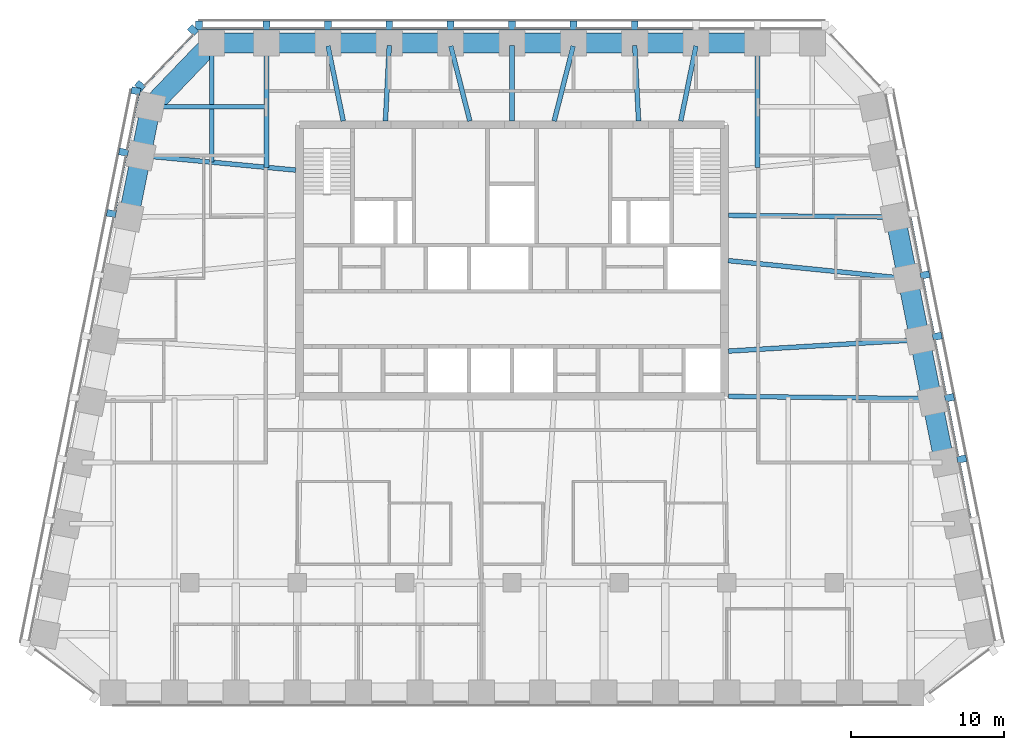
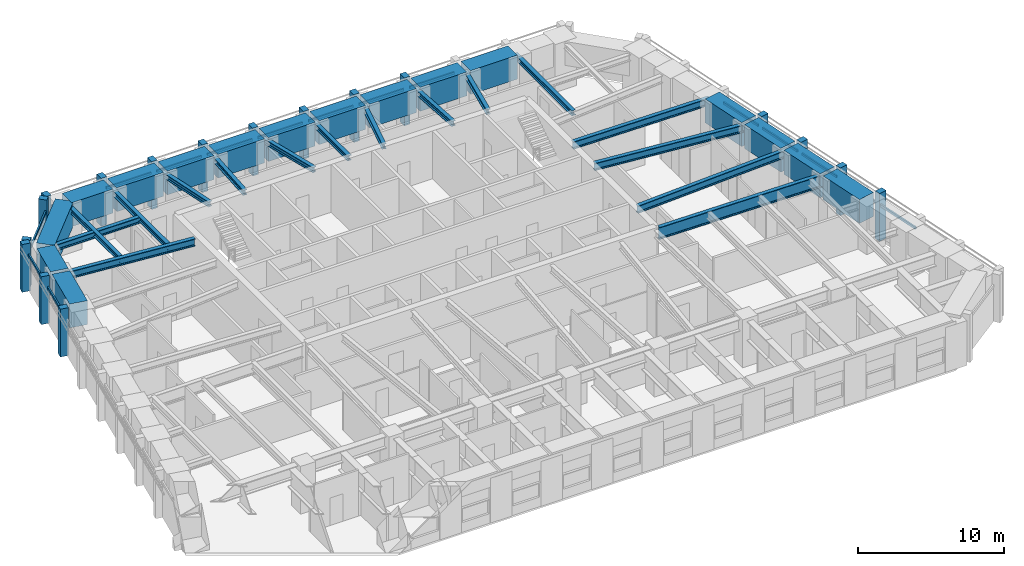
# One storey, part 3 of 11: 33 members, 32 beams, 4 elements without a shape of their own.
"""IFC4 building model written with IfcOpenShell, lengths in metres."""

from ifc_helpers import new_model, si_unit, direction, frame, origin, origin_2d, place, context, subcontext, project, spatial, rectangle, i_section, extrude, material, material_profile, profile_set, type_object, element, aggregate, save


model = new_model("IFC4")

# Units and contexts
model_context = context("Model", 3, precision=1e-05, world=origin(), true_north=direction((0.0, 1.0)))
body_context = subcontext(model_context, "Body", "Model", "MODEL_VIEW")
ifc_project = project(units=[si_unit("LENGTHUNIT", "METRE"), si_unit("AREAUNIT", "SQUARE_METRE"), si_unit("VOLUMEUNIT", "CUBIC_METRE"), si_unit("PLANEANGLEUNIT", "RADIAN"), si_unit("MASSUNIT", "GRAM", prefix="KILO")], contexts=[model_context])

# Site, building, storey
site_placement = place(None, origin())
site = spatial("IfcSite", under=ifc_project, at=site_placement, CompositionType="ELEMENT")
building_placement = place(site_placement, origin())
building = spatial("IfcBuilding", under=site, at=building_placement, Name="Isbrekke Arena Tower", CompositionType="ELEMENT")
storey_placement = place(building_placement, frame((0.0, 0.0, 268.0)))
storey = spatial("IfcBuildingStorey", under=building, at=storey_placement, Name="L62", CompositionType="ELEMENT", Elevation=268.0)

# Beams
ifc_material_1 = material(Name="Steel S355", Category="steel")
ifc_material_profile_1 = material_profile(ifc_material_1, i_section(OverallWidth=0.304931640625, OverallDepth=0.6201171875, WebThickness=0.02099609375, FlangeThickness=0.0400390625, FilletRadius=0.027099609375, at=origin_2d()), Name="HEM 600")
ifc_profile_set_1 = profile_set([ifc_material_profile_1], Name="Steel S355")
beam_type_1 = type_object("IfcBeamType", Name="B4 HEM 600", PredefinedType="BEAM", material=ifc_profile_set_1)
beam_1_placement = place(storey_placement, frame((26.431884765625, 9.837646484375, 3.5400390625), z_axis=(-0.998216240514, -0.059702070095, 0.0), x_axis=(0.059702070095, -0.998216240514, 0.0)))
element("IfcBeam", 1, at=beam_1_placement, inside=storey, type_object=beam_type_1, Name="B4 beam E-E06 L62", PredefinedType="BEAM", context=body_context, shape_type="SweptSolid", body=[
    extrude(i_section(OverallWidth=0.304931640625, OverallDepth=0.6201171875, WebThickness=0.02099609375, FlangeThickness=0.0400390625, FilletRadius=0.027099609375, at=origin_2d()), origin(), (0.0, 0.0, 1.0), 12.353759765625),
])
beam_2_placement = place(storey_placement, frame((25.625732421875, 13.83984375, 3.5400390625), z_axis=(-0.994972081505, 0.100152668587, 0.0), x_axis=(-0.100152668587, -0.994972081505, 0.0)))
element("IfcBeam", 2, at=beam_2_placement, inside=storey, type_object=beam_type_1, Name="B4 beam E-E07 L62", PredefinedType="BEAM", context=body_context, shape_type="SweptSolid", body=[
    extrude(i_section(OverallWidth=0.304931640625, OverallDepth=0.6201171875, WebThickness=0.02099609375, FlangeThickness=0.0400390625, FilletRadius=0.027099609375, at=origin_2d()), origin(), (0.0, 0.0, 1.0), 11.583984375),
])
beam_3_placement = place(storey_placement, frame((24.83935546875, 17.838134765625, 3.5400390625), z_axis=(-0.999945800258, 0.010411366203, 0.0), x_axis=(-0.010411366203, -0.999945800258, 0.0)))
element("IfcBeam", 3, at=beam_3_placement, inside=storey, type_object=beam_type_1, Name="B4 beam E-E08 L62", PredefinedType="BEAM", context=body_context, shape_type="SweptSolid", body=[
    extrude(i_section(OverallWidth=0.304931640625, OverallDepth=0.6201171875, WebThickness=0.02099609375, FlangeThickness=0.0400390625, FilletRadius=0.027099609375, at=origin_2d()), origin(), (0.0, 0.0, 1.0), 10.73974609375),
])
beam_4_placement = place(storey_placement, frame((-24.02685546875, 21.8369140625, 3.5400390625), z_axis=(0.995574576627, -0.093974796485, 0.0), x_axis=(0.093974796485, 0.995574576627, 0.0)))
element("IfcBeam", 4, at=beam_4_placement, inside=storey, type_object=beam_type_1, Name="B4 beam E-W02 L62", PredefinedType="BEAM", context=body_context, shape_type="SweptSolid", body=[
    extrude(i_section(OverallWidth=0.304931640625, OverallDepth=0.6201171875, WebThickness=0.02099609375, FlangeThickness=0.0400390625, FilletRadius=0.027099609375, at=origin_2d()), origin(), (0.0, 0.0, 1.0), 9.970947265625),
])
ifc_material_2 = material(Name="Steel S355", Category="steel")
ifc_material_profile_2 = material_profile(ifc_material_2, i_section(OverallWidth=0.305908203125, OverallDepth=0.52392578125, WebThickness=0.02099609375, FlangeThickness=0.0400390625, FilletRadius=0.027099609375, at=origin_2d()), Name="HEM 500")
ifc_profile_set_2 = profile_set([ifc_material_profile_2], Name="Steel S355")
beam_type_2 = type_object("IfcBeamType", Name="B5 HEM 500", PredefinedType="BEAM", material=ifc_profile_set_2)
beam_5_placement = place(storey_placement, frame((-23.40283203125, 25.029296875, 3.587890625), z_axis=(1.0, 0.0, 0.0), x_axis=(0.0, 1.0, 0.0)))
element("IfcBeam", 5, at=beam_5_placement, inside=storey, type_object=beam_type_2, Name="B5 beam E-W01 L62", PredefinedType="BEAM", context=body_context, shape_type="SweptSolid", body=[
    extrude(i_section(OverallWidth=0.305908203125, OverallDepth=0.52392578125, WebThickness=0.02099609375, FlangeThickness=0.0400390625, FilletRadius=0.027099609375, at=origin_2d()), origin(), (0.0, 0.0, 1.0), 7.40283203125),
])
ifc_material_3 = material(Name="Steel S355", Category="steel")
ifc_material_profile_3 = material_profile(ifc_material_3, i_section(OverallWidth=0.306884765625, OverallDepth=0.431884765625, WebThickness=0.02099609375, FlangeThickness=0.0400390625, FilletRadius=0.027099609375, at=origin_2d()), Name="HEM 400")
ifc_profile_set_3 = profile_set([ifc_material_profile_3], Name="Steel S355")
beam_type_3 = type_object("IfcBeamType", Name="B6 HEM 400", PredefinedType="BEAM", material=ifc_profile_set_3)
for number, where, z_axis, x_axis, name in (
    (6, (16.0, 29.02490234375, 3.634033203125), (0.0, -1.0, 0.0), (1.0, 0.0, 0.0), "B6 beam N-N02 L62"),
    (7, (-16.0, 29.02490234375, 3.634033203125), (0.0, -1.0, 0.0), (1.0, 0.0, 0.0), "B6 beam N-N10 L62"),
):
    element("IfcBeam", number, at=place(storey_placement, frame(where, z_axis=z_axis, x_axis=x_axis)), inside=storey, type_object=beam_type_3, Name=name, PredefinedType="BEAM", context=body_context, shape_type="SweptSolid", body=[
        extrude(i_section(OverallWidth=0.306884765625, OverallDepth=0.431884765625, WebThickness=0.02099609375, FlangeThickness=0.0400390625, FilletRadius=0.027099609375, at=origin_2d()), origin(), (0.0, 0.0, 1.0), 7.945556640625),
    ])
beam_6_placement = place(storey_placement, frame((-19.574951171875, 29.02490234375, 3.634033203125), z_axis=(0.0, -1.0, 0.0), x_axis=(1.0, 0.0, 0.0)))
element("IfcBeam", 8, at=beam_6_placement, inside=storey, type_object=beam_type_3, Name="B6 beam N-N11 L62", PredefinedType="BEAM", context=body_context, shape_type="SweptSolid", body=[
    extrude(i_section(OverallWidth=0.306884765625, OverallDepth=0.431884765625, WebThickness=0.02099609375, FlangeThickness=0.0400390625, FilletRadius=0.027099609375, at=origin_2d()), origin(), (0.0, 0.0, 1.0), 7.608154296875),
])
beam_7_placement = place(storey_placement, frame((11.993896484375, 28.9951171875, 3.634033203125), z_axis=(-0.198982177337, -0.980003108721, 0.0), x_axis=(0.980003108721, -0.198982177337, 0.0)))
element("IfcBeam", 9, at=beam_7_placement, inside=storey, type_object=beam_type_3, Name="B6 beam N-N03 L62", PredefinedType="BEAM", context=body_context, shape_type="SweptSolid", body=[
    extrude(i_section(OverallWidth=0.306884765625, OverallDepth=0.431884765625, WebThickness=0.02099609375, FlangeThickness=0.0400390625, FilletRadius=0.027099609375, at=origin_2d()), origin(), (0.0, 0.0, 1.0), 4.994873046875),
])
beam_8_placement = place(storey_placement, frame((8.00048828125, 29.017333984375, 3.634033203125), z_axis=(0.050677067868, -0.998715091902, 0.0), x_axis=(0.998715091902, 0.050677067868, 0.0)))
element("IfcBeam", 10, at=beam_8_placement, inside=storey, type_object=beam_type_3, Name="B6 beam N-N04 L62", PredefinedType="BEAM", context=body_context, shape_type="SweptSolid", body=[
    extrude(i_section(OverallWidth=0.306884765625, OverallDepth=0.431884765625, WebThickness=0.02099609375, FlangeThickness=0.0400390625, FilletRadius=0.027099609375, at=origin_2d()), origin(), (0.0, 0.0, 1.0), 4.923583984375),
])
beam_9_placement = place(storey_placement, frame((3.99072265625, 28.98828125, 3.634033203125), z_axis=(-0.246019579109, -0.969264858898, 0.0), x_axis=(0.969264858898, -0.246019579109, 0.0)))
element("IfcBeam", 11, at=beam_9_placement, inside=storey, type_object=beam_type_3, Name="B6 beam N-N05 L62", PredefinedType="BEAM", context=body_context, shape_type="SweptSolid", body=[
    extrude(i_section(OverallWidth=0.306884765625, OverallDepth=0.431884765625, WebThickness=0.02099609375, FlangeThickness=0.0400390625, FilletRadius=0.027099609375, at=origin_2d()), origin(), (0.0, 0.0, 1.0), 5.043212890625),
])
beam_10_placement = place(storey_placement, frame((0.0, 29.02490234375, 3.634033203125), z_axis=(0.0, -1.0, 0.0), x_axis=(1.0, 0.0, 0.0)))
element("IfcBeam", 12, at=beam_10_placement, inside=storey, type_object=beam_type_3, Name="B6 beam N-N06 L62", PredefinedType="BEAM", context=body_context, shape_type="SweptSolid", body=[
    extrude(i_section(OverallWidth=0.306884765625, OverallDepth=0.431884765625, WebThickness=0.02099609375, FlangeThickness=0.0400390625, FilletRadius=0.027099609375, at=origin_2d()), origin(), (0.0, 0.0, 1.0), 4.9248046875),
])
beam_11_placement = place(storey_placement, frame((-3.99072265625, 28.98828125, 3.634033203125), z_axis=(0.246019579109, -0.969264858898, 0.0), x_axis=(0.969264858898, 0.246019579109, 0.0)))
element("IfcBeam", 13, at=beam_11_placement, inside=storey, type_object=beam_type_3, Name="B6 beam N-N07 L62", PredefinedType="BEAM", context=body_context, shape_type="SweptSolid", body=[
    extrude(i_section(OverallWidth=0.306884765625, OverallDepth=0.431884765625, WebThickness=0.02099609375, FlangeThickness=0.0400390625, FilletRadius=0.027099609375, at=origin_2d()), origin(), (0.0, 0.0, 1.0), 5.043212890625),
])
beam_12_placement = place(storey_placement, frame((-8.00048828125, 29.017333984375, 3.634033203125), z_axis=(-0.050677067868, -0.998715091902, 0.0), x_axis=(0.998715091902, -0.050677067868, 0.0)))
element("IfcBeam", 14, at=beam_12_placement, inside=storey, type_object=beam_type_3, Name="B6 beam N-N08 L62", PredefinedType="BEAM", context=body_context, shape_type="SweptSolid", body=[
    extrude(i_section(OverallWidth=0.306884765625, OverallDepth=0.431884765625, WebThickness=0.02099609375, FlangeThickness=0.0400390625, FilletRadius=0.027099609375, at=origin_2d()), origin(), (0.0, 0.0, 1.0), 4.923583984375),
])
beam_13_placement = place(storey_placement, frame((-11.993896484375, 28.9951171875, 3.634033203125), z_axis=(0.198982177337, -0.980003108721, 0.0), x_axis=(0.980003108721, 0.198982177337, 0.0)))
element("IfcBeam", 15, at=beam_13_placement, inside=storey, type_object=beam_type_3, Name="B6 beam N-N09 L62", PredefinedType="BEAM", context=body_context, shape_type="SweptSolid", body=[
    extrude(i_section(OverallWidth=0.306884765625, OverallDepth=0.431884765625, WebThickness=0.02099609375, FlangeThickness=0.0400390625, FilletRadius=0.027099609375, at=origin_2d()), origin(), (0.0, 0.0, 1.0), 4.994873046875),
])

# Curtain wall, members
ifc_material_4 = material(Name="Glazed aluminium curtain wall", Category="aluminium")
curtain_wall_type = type_object("IfcCurtainWallType", Name="CWT TOWER CURTAIN WALL TOP ZONE", PredefinedType="USERDEFINED", material=ifc_material_4)
curtain_wall_1_placement = place(storey_placement, origin())
curtain_wall_1 = element("IfcCurtainWall", 16, at=curtain_wall_1_placement, inside=storey, type_object=curtain_wall_type, Name="CWT curtain wall L62-E", ObjectType="TOWER CURTAIN WALL TOP ZONE", PredefinedType="USERDEFINED")
ifc_material_5 = material(Name="Copper-clad aluminium mullion", Category="aluminium")
ifc_material_profile_4 = material_profile(ifc_material_5, rectangle(XDim=0.449951171875, YDim=0.60009765625, at=origin_2d()), Name="PIER 450X600")
ifc_profile_set_4 = profile_set([ifc_material_profile_4], Name="Copper-clad aluminium mullion")
member_type_1 = type_object("IfcMemberType", Name="CWT-M PIER MULLION 450 x 600", PredefinedType="MULLION", material=ifc_profile_set_4)
member_1_placement = place(storey_placement, frame((29.318603515625, 2.063720703125, 0.0), z_axis=(0.0, 0.0, 1.0), x_axis=(-0.196116135138, 0.980580675691, 0.0)))
member_1 = element("IfcMember", 17, at=member_1_placement, type_object=member_type_1, Name="CWT-M mullion 4", PredefinedType="MULLION", context=body_context, shape_type="SweptSolid", body=[
    extrude(rectangle(XDim=0.449951171875, YDim=0.60009765625, at=origin_2d()), origin(), (0.0, 0.0, 1.0), 4.0),
])
member_2_placement = place(storey_placement, frame((28.518798828125, 6.063720703125, 0.0), z_axis=(0.0, 0.0, 1.0), x_axis=(-0.196116135138, 0.980580675691, 0.0)))
member_2 = element("IfcMember", 18, at=member_2_placement, type_object=member_type_1, Name="CWT-M mullion 5", PredefinedType="MULLION", context=body_context, shape_type="SweptSolid", body=[
    extrude(rectangle(XDim=0.449951171875, YDim=0.60009765625, at=origin_2d()), origin(), (0.0, 0.0, 1.0), 4.0),
])
member_3_placement = place(storey_placement, frame((27.71875, 10.063720703125, 0.0), z_axis=(0.0, 0.0, 1.0), x_axis=(-0.196116135138, 0.980580675691, 0.0)))
member_3 = element("IfcMember", 19, at=member_3_placement, type_object=member_type_1, Name="CWT-M mullion 6", PredefinedType="MULLION", context=body_context, shape_type="SweptSolid", body=[
    extrude(rectangle(XDim=0.449951171875, YDim=0.60009765625, at=origin_2d()), origin(), (0.0, 0.0, 1.0), 4.0),
])
member_4_placement = place(storey_placement, frame((26.918701171875, 14.063720703125, 0.0), z_axis=(0.0, 0.0, 1.0), x_axis=(-0.196116135138, 0.980580675691, 0.0)))
member_4 = element("IfcMember", 20, at=member_4_placement, type_object=member_type_1, Name="CWT-M mullion 7", PredefinedType="MULLION", context=body_context, shape_type="SweptSolid", body=[
    extrude(rectangle(XDim=0.449951171875, YDim=0.60009765625, at=origin_2d()), origin(), (0.0, 0.0, 1.0), 4.0),
])

curtain_wall_2_placement = place(storey_placement, origin())
curtain_wall_2 = element("IfcCurtainWall", 21, at=curtain_wall_2_placement, inside=storey, type_object=curtain_wall_type, Name="CWT curtain wall L62-N", ObjectType="TOWER CURTAIN WALL TOP ZONE", PredefinedType="USERDEFINED")
member_5_placement = place(storey_placement, frame((8.0, 30.324951171875, 0.0), z_axis=(0.0, 0.0, 1.0), x_axis=(-1.0, 0.0, 0.0)))
member_5 = element("IfcMember", 22, at=member_5_placement, type_object=member_type_1, Name="CWT-M mullion 4", PredefinedType="MULLION", context=body_context, shape_type="SweptSolid", body=[
    extrude(rectangle(XDim=0.449951171875, YDim=0.60009765625, at=origin_2d()), origin(), (0.0, 0.0, 1.0), 4.0),
])
member_6_placement = place(storey_placement, frame((4.0, 30.324951171875, 0.0), z_axis=(0.0, 0.0, 1.0), x_axis=(-1.0, 0.0, 0.0)))
member_6 = element("IfcMember", 23, at=member_6_placement, type_object=member_type_1, Name="CWT-M mullion 5", PredefinedType="MULLION", context=body_context, shape_type="SweptSolid", body=[
    extrude(rectangle(XDim=0.449951171875, YDim=0.60009765625, at=origin_2d()), origin(), (0.0, 0.0, 1.0), 4.0),
])
member_7_placement = place(storey_placement, frame((0.0, 30.324951171875, 0.0), z_axis=(0.0, 0.0, 1.0), x_axis=(-1.0, 0.0, 0.0)))
member_7 = element("IfcMember", 24, at=member_7_placement, type_object=member_type_1, Name="CWT-M mullion 6", PredefinedType="MULLION", context=body_context, shape_type="SweptSolid", body=[
    extrude(rectangle(XDim=0.449951171875, YDim=0.60009765625, at=origin_2d()), origin(), (0.0, 0.0, 1.0), 4.0),
])
member_8_placement = place(storey_placement, frame((-4.0, 30.324951171875, 0.0), z_axis=(0.0, 0.0, 1.0), x_axis=(-1.0, 0.0, 0.0)))
member_8 = element("IfcMember", 25, at=member_8_placement, type_object=member_type_1, Name="CWT-M mullion 7", PredefinedType="MULLION", context=body_context, shape_type="SweptSolid", body=[
    extrude(rectangle(XDim=0.449951171875, YDim=0.60009765625, at=origin_2d()), origin(), (0.0, 0.0, 1.0), 4.0),
])
member_9_placement = place(storey_placement, frame((-8.0, 30.324951171875, 0.0), z_axis=(0.0, 0.0, 1.0), x_axis=(-1.0, 0.0, 0.0)))
member_9 = element("IfcMember", 26, at=member_9_placement, type_object=member_type_1, Name="CWT-M mullion 8", PredefinedType="MULLION", context=body_context, shape_type="SweptSolid", body=[
    extrude(rectangle(XDim=0.449951171875, YDim=0.60009765625, at=origin_2d()), origin(), (0.0, 0.0, 1.0), 4.0),
])
member_10_placement = place(storey_placement, frame((-12.0, 30.324951171875, 0.0), z_axis=(0.0, 0.0, 1.0), x_axis=(-1.0, 0.0, 0.0)))
member_10 = element("IfcMember", 27, at=member_10_placement, type_object=member_type_1, Name="CWT-M mullion 9", PredefinedType="MULLION", context=body_context, shape_type="SweptSolid", body=[
    extrude(rectangle(XDim=0.449951171875, YDim=0.60009765625, at=origin_2d()), origin(), (0.0, 0.0, 1.0), 4.0),
])
member_11_placement = place(storey_placement, frame((-16.0, 30.324951171875, 0.0), z_axis=(0.0, 0.0, 1.0), x_axis=(-1.0, 0.0, 0.0)))
member_11 = element("IfcMember", 28, at=member_11_placement, type_object=member_type_1, Name="CWT-M mullion 10", PredefinedType="MULLION", context=body_context, shape_type="SweptSolid", body=[
    extrude(rectangle(XDim=0.449951171875, YDim=0.60009765625, at=origin_2d()), origin(), (0.0, 0.0, 1.0), 4.0),
])
member_12_placement = place(storey_placement, frame((-20.39990234375, 30.324951171875, 0.0), z_axis=(0.0, 0.0, 1.0), x_axis=(-1.0, 0.0, 0.0)))
member_12 = element("IfcMember", 29, at=member_12_placement, type_object=member_type_1, Name="CWT-M mullion 11", PredefinedType="MULLION", context=body_context, shape_type="SweptSolid", body=[
    extrude(rectangle(XDim=0.449951171875, YDim=0.60009765625, at=origin_2d()), origin(), (0.0, 0.0, 1.0), 4.0),
])

curtain_wall_3_placement = place(storey_placement, origin())
curtain_wall_3 = element("IfcCurtainWall", 30, at=curtain_wall_3_placement, inside=storey, type_object=curtain_wall_type, Name="CWT curtain wall L62-NW", ObjectType="TOWER CURTAIN WALL TOP ZONE", PredefinedType="USERDEFINED")
member_13_placement = place(storey_placement, frame((-20.795166015625, 30.01953125, 0.0), z_axis=(0.0, 0.0, 1.0), x_axis=(-0.68874946192, -0.72499943359, 0.0)))
member_13 = element("IfcMember", 31, at=member_13_placement, type_object=member_type_1, Name="CWT-M mullion 1", PredefinedType="MULLION", context=body_context, shape_type="SweptSolid", body=[
    extrude(rectangle(XDim=0.449951171875, YDim=0.60009765625, at=origin_2d()), origin(), (0.0, 0.0, 1.0), 4.0),
])
member_14_placement = place(storey_placement, frame((-24.243896484375, 26.389404296875, 0.0), z_axis=(0.0, 0.0, 1.0), x_axis=(-0.68874946192, -0.72499943359, 0.0)))
member_14 = element("IfcMember", 32, at=member_14_placement, type_object=member_type_1, Name="CWT-M mullion 2", PredefinedType="MULLION", context=body_context, shape_type="SweptSolid", body=[
    extrude(rectangle(XDim=0.449951171875, YDim=0.60009765625, at=origin_2d()), origin(), (0.0, 0.0, 1.0), 4.0),
])

curtain_wall_4_placement = place(storey_placement, origin())
curtain_wall_4 = element("IfcCurtainWall", 33, at=curtain_wall_4_placement, inside=storey, type_object=curtain_wall_type, Name="CWT curtain wall L62-W", ObjectType="TOWER CURTAIN WALL TOP ZONE", PredefinedType="USERDEFINED")
member_15_placement = place(storey_placement, frame((-24.518798828125, 26.063720703125, 0.0), z_axis=(0.0, 0.0, 1.0), x_axis=(-0.196116135138, -0.980580675691, 0.0)))
member_15 = element("IfcMember", 34, at=member_15_placement, type_object=member_type_1, Name="CWT-M mullion 1", PredefinedType="MULLION", context=body_context, shape_type="SweptSolid", body=[
    extrude(rectangle(XDim=0.449951171875, YDim=0.60009765625, at=origin_2d()), origin(), (0.0, 0.0, 1.0), 4.0),
])
member_16_placement = place(storey_placement, frame((-25.318603515625, 22.063720703125, 0.0), z_axis=(0.0, 0.0, 1.0), x_axis=(-0.196116135138, -0.980580675691, 0.0)))
member_16 = element("IfcMember", 35, at=member_16_placement, type_object=member_type_1, Name="CWT-M mullion 2", PredefinedType="MULLION", context=body_context, shape_type="SweptSolid", body=[
    extrude(rectangle(XDim=0.449951171875, YDim=0.60009765625, at=origin_2d()), origin(), (0.0, 0.0, 1.0), 4.0),
])
member_17_placement = place(storey_placement, frame((-26.11865234375, 18.063720703125, 0.0), z_axis=(0.0, 0.0, 1.0), x_axis=(-0.196116135138, -0.980580675691, 0.0)))
member_17 = element("IfcMember", 36, at=member_17_placement, type_object=member_type_1, Name="CWT-M mullion 3", PredefinedType="MULLION", context=body_context, shape_type="SweptSolid", body=[
    extrude(rectangle(XDim=0.449951171875, YDim=0.60009765625, at=origin_2d()), origin(), (0.0, 0.0, 1.0), 4.0),
])

# Member
ifc_material_6 = material(Name="Aluminium transom", Category="aluminium")
ifc_material_profile_5 = material_profile(ifc_material_6, rectangle(XDim=0.1201171875, YDim=0.199951171875, at=origin_2d()), Name="TRANSOM 120X200")
ifc_profile_set_5 = profile_set([ifc_material_profile_5], Name="Aluminium transom")
member_type_2 = type_object("IfcMemberType", Name="CWT-T TRANSOM 120 x 200", PredefinedType="USERDEFINED", material=ifc_profile_set_5)
member_18_placement = place(storey_placement, frame((29.87841796875, -1.7548828125, 3.0), z_axis=(-0.196090262229, 0.980585849918, 0.0), x_axis=(-0.980585849918, -0.196090262229, 0.0)))
member_18 = element("IfcMember", 37, at=member_18_placement, type_object=member_type_2, Name="CWT-T transom 3", ObjectType="TRANSOM", PredefinedType="USERDEFINED", context=body_context, shape_type="SweptSolid", body=[
    extrude(rectangle(XDim=0.1201171875, YDim=0.199951171875, at=origin_2d()), origin(), (0.0, 0.0, 1.0), 3.62939453125),
])

member_19_placement = place(storey_placement, frame((29.078369140625, 2.2451171875, 3.0), z_axis=(-0.196090262229, 0.980585849918, 0.0), x_axis=(-0.980585849918, -0.196090262229, 0.0)))
member_19 = element("IfcMember", 38, at=member_19_placement, type_object=member_type_2, Name="CWT-T transom 4", ObjectType="TRANSOM", PredefinedType="USERDEFINED", context=body_context, shape_type="SweptSolid", body=[
    extrude(rectangle(XDim=0.1201171875, YDim=0.199951171875, at=origin_2d()), origin(), (0.0, 0.0, 1.0), 3.62939453125),
])

member_20_placement = place(storey_placement, frame((28.278564453125, 6.2451171875, 3.0), z_axis=(-0.196154943734, 0.980572913173, 0.0), x_axis=(-0.980572913173, -0.196154943734, 0.0)))
member_20 = element("IfcMember", 39, at=member_20_placement, type_object=member_type_2, Name="CWT-T transom 5", ObjectType="TRANSOM", PredefinedType="USERDEFINED", context=body_context, shape_type="SweptSolid", body=[
    extrude(rectangle(XDim=0.1201171875, YDim=0.199951171875, at=origin_2d()), origin(), (0.0, 0.0, 1.0), 3.62939453125),
])

member_21_placement = place(storey_placement, frame((27.478515625, 10.2451171875, 3.0), z_axis=(-0.196154943734, 0.980572913173, 0.0), x_axis=(-0.980572913173, -0.196154943734, 0.0)))
member_21 = element("IfcMember", 40, at=member_21_placement, type_object=member_type_2, Name="CWT-T transom 6", ObjectType="TRANSOM", PredefinedType="USERDEFINED", context=body_context, shape_type="SweptSolid", body=[
    extrude(rectangle(XDim=0.1201171875, YDim=0.199951171875, at=origin_2d()), origin(), (0.0, 0.0, 1.0), 3.62939453125),
])

member_22_placement = place(storey_placement, frame((26.678466796875, 14.2451171875, 3.0), z_axis=(-0.196090262229, 0.980585849918, 0.0), x_axis=(-0.980585849918, -0.196090262229, 0.0)))
member_22 = element("IfcMember", 41, at=member_22_placement, type_object=member_type_2, Name="CWT-T transom 7", ObjectType="TRANSOM", PredefinedType="USERDEFINED", context=body_context, shape_type="SweptSolid", body=[
    extrude(rectangle(XDim=0.1201171875, YDim=0.199951171875, at=origin_2d()), origin(), (0.0, 0.0, 1.0), 3.62939453125),
])

aggregate(curtain_wall_1, [member_1, member_2, member_3, member_4, member_18, member_19, member_20, member_21, member_22])

member_23_placement = place(storey_placement, frame((11.77490234375, 30.125, 3.0), z_axis=(-1.0, 0.0, 0.0), x_axis=(0.0, -1.0, 0.0)))
member_23 = element("IfcMember", 42, at=member_23_placement, type_object=member_type_2, Name="CWT-T transom 3", ObjectType="TRANSOM", PredefinedType="USERDEFINED", context=body_context, shape_type="SweptSolid", body=[
    extrude(rectangle(XDim=0.1201171875, YDim=0.199951171875, at=origin_2d()), origin(), (0.0, 0.0, 1.0), 3.5498046875),
])

member_24_placement = place(storey_placement, frame((7.77490234375, 30.125, 3.0), z_axis=(-1.0, 0.0, 0.0), x_axis=(0.0, -1.0, 0.0)))
member_24 = element("IfcMember", 43, at=member_24_placement, type_object=member_type_2, Name="CWT-T transom 4", ObjectType="TRANSOM", PredefinedType="USERDEFINED", context=body_context, shape_type="SweptSolid", body=[
    extrude(rectangle(XDim=0.1201171875, YDim=0.199951171875, at=origin_2d()), origin(), (0.0, 0.0, 1.0), 3.5498046875),
])

member_25_placement = place(storey_placement, frame((3.77490234375, 30.125, 3.0), z_axis=(-1.0, 0.0, 0.0), x_axis=(0.0, -1.0, 0.0)))
member_25 = element("IfcMember", 44, at=member_25_placement, type_object=member_type_2, Name="CWT-T transom 5", ObjectType="TRANSOM", PredefinedType="USERDEFINED", context=body_context, shape_type="SweptSolid", body=[
    extrude(rectangle(XDim=0.1201171875, YDim=0.199951171875, at=origin_2d()), origin(), (0.0, 0.0, 1.0), 3.5498046875),
])

member_26_placement = place(storey_placement, frame((-0.22509765625, 30.125, 3.0), z_axis=(-1.0, 0.0, 0.0), x_axis=(0.0, -1.0, 0.0)))
member_26 = element("IfcMember", 45, at=member_26_placement, type_object=member_type_2, Name="CWT-T transom 6", ObjectType="TRANSOM", PredefinedType="USERDEFINED", context=body_context, shape_type="SweptSolid", body=[
    extrude(rectangle(XDim=0.1201171875, YDim=0.199951171875, at=origin_2d()), origin(), (0.0, 0.0, 1.0), 3.5498046875),
])

member_27_placement = place(storey_placement, frame((-4.22509765625, 30.125, 3.0), z_axis=(-1.0, 0.0, 0.0), x_axis=(0.0, -1.0, 0.0)))
member_27 = element("IfcMember", 46, at=member_27_placement, type_object=member_type_2, Name="CWT-T transom 7", ObjectType="TRANSOM", PredefinedType="USERDEFINED", context=body_context, shape_type="SweptSolid", body=[
    extrude(rectangle(XDim=0.1201171875, YDim=0.199951171875, at=origin_2d()), origin(), (0.0, 0.0, 1.0), 3.5498046875),
])

member_28_placement = place(storey_placement, frame((-8.22509765625, 30.125, 3.0), z_axis=(-1.0, 0.0, 0.0), x_axis=(0.0, -1.0, 0.0)))
member_28 = element("IfcMember", 47, at=member_28_placement, type_object=member_type_2, Name="CWT-T transom 8", ObjectType="TRANSOM", PredefinedType="USERDEFINED", context=body_context, shape_type="SweptSolid", body=[
    extrude(rectangle(XDim=0.1201171875, YDim=0.199951171875, at=origin_2d()), origin(), (0.0, 0.0, 1.0), 3.5498046875),
])

member_29_placement = place(storey_placement, frame((-12.22509765625, 30.125, 3.0), z_axis=(-1.0, 0.0, 0.0), x_axis=(0.0, -1.0, 0.0)))
member_29 = element("IfcMember", 48, at=member_29_placement, type_object=member_type_2, Name="CWT-T transom 9", ObjectType="TRANSOM", PredefinedType="USERDEFINED", context=body_context, shape_type="SweptSolid", body=[
    extrude(rectangle(XDim=0.1201171875, YDim=0.199951171875, at=origin_2d()), origin(), (0.0, 0.0, 1.0), 3.5498046875),
])

member_30_placement = place(storey_placement, frame((-16.22509765625, 30.125, 3.0), z_axis=(-1.0, 0.0, 0.0), x_axis=(0.0, -1.0, 0.0)))
member_30 = element("IfcMember", 49, at=member_30_placement, type_object=member_type_2, Name="CWT-T transom 10", ObjectType="TRANSOM", PredefinedType="USERDEFINED", context=body_context, shape_type="SweptSolid", body=[
    extrude(rectangle(XDim=0.1201171875, YDim=0.199951171875, at=origin_2d()), origin(), (0.0, 0.0, 1.0), 3.949951171875),
])

aggregate(curtain_wall_2, [member_5, member_6, member_7, member_8, member_9, member_10, member_11, member_12, member_23, member_24, member_25, member_26, member_27, member_28, member_29, member_30])

member_31_placement = place(storey_placement, frame((-20.80517578125, 29.71875, 3.0), z_axis=(-0.688739606035, -0.725008796552, 0.0), x_axis=(0.725008796552, -0.688739606035, 0.0)))
member_31 = element("IfcMember", 50, at=member_31_placement, type_object=member_type_2, Name="CWT-T transom 1", ObjectType="TRANSOM", PredefinedType="USERDEFINED", context=body_context, shape_type="SweptSolid", body=[
    extrude(rectangle(XDim=0.1201171875, YDim=0.199951171875, at=origin_2d()), origin(), (0.0, 0.0, 1.0), 4.55712890625),
])

aggregate(curtain_wall_3, [member_13, member_14, member_31])

member_32_placement = place(storey_placement, frame((-24.36669921875, 25.803955078125, 3.0), z_axis=(-0.196090262229, -0.980585849918, 0.0), x_axis=(0.980585849918, -0.196090262229, 0.0)))
member_32 = element("IfcMember", 51, at=member_32_placement, type_object=member_type_2, Name="CWT-T transom 1", ObjectType="TRANSOM", PredefinedType="USERDEFINED", context=body_context, shape_type="SweptSolid", body=[
    extrude(rectangle(XDim=0.1201171875, YDim=0.199951171875, at=origin_2d()), origin(), (0.0, 0.0, 1.0), 3.62939453125),
])

member_33_placement = place(storey_placement, frame((-25.166748046875, 21.803955078125, 3.0), z_axis=(-0.196090262229, -0.980585849918, 0.0), x_axis=(0.980585849918, -0.196090262229, 0.0)))
member_33 = element("IfcMember", 52, at=member_33_placement, type_object=member_type_2, Name="CWT-T transom 2", ObjectType="TRANSOM", PredefinedType="USERDEFINED", context=body_context, shape_type="SweptSolid", body=[
    extrude(rectangle(XDim=0.1201171875, YDim=0.199951171875, at=origin_2d()), origin(), (0.0, 0.0, 1.0), 3.62939453125),
])

aggregate(curtain_wall_4, [member_15, member_16, member_17, member_32, member_33])

# Beams
ifc_material_7 = material(Name="Steel S355", Category="steel")
ifc_material_profile_6 = material_profile(ifc_material_7, i_section(OverallWidth=0.302001953125, OverallDepth=1.008056640625, WebThickness=0.02099609375, FlangeThickness=0.0400390625, FilletRadius=0.030029296875, at=origin_2d()), Name="HEM 1000")
ifc_profile_set_6 = profile_set([ifc_material_profile_6], Name="Steel S355")
beam_type_4 = type_object("IfcBeamType", Name="G2 HEM 1000", PredefinedType="BEAM", material=ifc_profile_set_6)
beam_14_placement = place(storey_placement, frame((14.10009765625, 6.14990234375, 3.345947265625), z_axis=(0.999936387749, -0.011279204565, 0.0), x_axis=(0.011279204565, 0.999936387749, 0.0)))
element("IfcBeam", 53, at=beam_14_placement, inside=storey, type_object=beam_type_4, Name="G2 beam G2-E L62", PredefinedType="BEAM", context=body_context, shape_type="SweptSolid", body=[
    extrude(i_section(OverallWidth=0.302001953125, OverallDepth=1.008056640625, WebThickness=0.02099609375, FlangeThickness=0.0400390625, FilletRadius=0.030029296875, at=origin_2d()), origin(), (0.0, 0.0, 1.0), 13.2900390625),
])
ifc_material_8 = material(Name="Concrete B55 (C55/67)", Category="concrete")
ifc_material_profile_7 = material_profile(ifc_material_8, rectangle(XDim=1.300048828125, YDim=2.0, at=origin_2d()), Name="RC 1300x2000")
ifc_profile_set_7 = profile_set([ifc_material_profile_7], Name="Concrete B55 (C55/67)")
beam_type_5 = type_object("IfcBeamType", Name="SB4 RC 1300 x 2000", PredefinedType="SPANDREL", material=ifc_profile_set_7)
for number, where, z_axis, x_axis, name in (
    (54, (28.16162109375, 1.9853515625, 3.0), (-0.196128558387, 0.980578190959, 0.0), (-0.980578190959, -0.196128558387, 0.0), "SB4 spandrel E04-E05 L62"),
    (55, (27.361572265625, 5.9853515625, 3.0), (-0.196128558387, 0.980578190959, 0.0), (-0.980578190959, -0.196128558387, 0.0), "SB4 spandrel E05-E06 L62"),
):
    element("IfcBeam", number, at=place(storey_placement, frame(where, z_axis=z_axis, x_axis=x_axis)), inside=storey, type_object=beam_type_5, Name=name, PredefinedType="SPANDREL", context=body_context, shape_type="SweptSolid", body=[
        extrude(rectangle(XDim=1.300048828125, YDim=2.0, at=origin_2d()), origin(), (0.0, 0.0, 1.0), 3.779296875),
    ])
beam_15_placement = place(storey_placement, frame((26.5615234375, 9.9853515625, 3.0), z_axis=(-0.1960664412, 0.980590613169, 0.0), x_axis=(-0.980590613169, -0.1960664412, 0.0)))
element("IfcBeam", 56, at=beam_15_placement, inside=storey, type_object=beam_type_5, Name="SB4 spandrel E06-E07 L62", PredefinedType="SPANDREL", context=body_context, shape_type="SweptSolid", body=[
    extrude(rectangle(XDim=1.300048828125, YDim=2.0, at=origin_2d()), origin(), (0.0, 0.0, 1.0), 3.779052734375),
])
beam_16_placement = place(storey_placement, frame((25.76171875, 13.9853515625, 3.0), z_axis=(-0.196128558387, 0.980578190959, 0.0), x_axis=(-0.980578190959, -0.196128558387, 0.0)))
element("IfcBeam", 57, at=beam_16_placement, inside=storey, type_object=beam_type_5, Name="SB4 spandrel E07-E08 L62", PredefinedType="SPANDREL", context=body_context, shape_type="SweptSolid", body=[
    extrude(rectangle(XDim=1.300048828125, YDim=2.0, at=origin_2d()), origin(), (0.0, 0.0, 1.0), 3.779296875),
])
for number, where, z_axis, x_axis, name in (
    (58, (15.85009765625, 29.175048828125, 3.0), (-1.0, 0.0, 0.0), (0.0, -1.0, 0.0), "SB4 spandrel N02-N03 L62"),
    (59, (11.85009765625, 29.175048828125, 3.0), (-1.0, 0.0, 0.0), (0.0, -1.0, 0.0), "SB4 spandrel N03-N04 L62"),
    (60, (7.85009765625, 29.175048828125, 3.0), (-1.0, 0.0, 0.0), (0.0, -1.0, 0.0), "SB4 spandrel N04-N05 L62"),
    (61, (3.85009765625, 29.175048828125, 3.0), (-1.0, 0.0, 0.0), (0.0, -1.0, 0.0), "SB4 spandrel N05-N06 L62"),
    (62, (-0.14990234375, 29.175048828125, 3.0), (-1.0, 0.0, 0.0), (0.0, -1.0, 0.0), "SB4 spandrel N06-N07 L62"),
    (63, (-4.14990234375, 29.175048828125, 3.0), (-1.0, 0.0, 0.0), (0.0, -1.0, 0.0), "SB4 spandrel N07-N08 L62"),
    (64, (-8.14990234375, 29.175048828125, 3.0), (-1.0, 0.0, 0.0), (0.0, -1.0, 0.0), "SB4 spandrel N08-N09 L62"),
    (65, (-12.14990234375, 29.175048828125, 3.0), (-1.0, 0.0, 0.0), (0.0, -1.0, 0.0), "SB4 spandrel N09-N10 L62"),
):
    element("IfcBeam", number, at=place(storey_placement, frame(where, z_axis=z_axis, x_axis=x_axis)), inside=storey, type_object=beam_type_5, Name=name, PredefinedType="SPANDREL", context=body_context, shape_type="SweptSolid", body=[
        extrude(rectangle(XDim=1.300048828125, YDim=2.0, at=origin_2d()), origin(), (0.0, 0.0, 1.0), 3.7001953125),
    ])
beam_17_placement = place(storey_placement, frame((-16.14990234375, 29.175048828125, 3.0), z_axis=(-1.0, 0.0, 0.0), x_axis=(0.0, -1.0, 0.0)))
element("IfcBeam", 66, at=beam_17_placement, inside=storey, type_object=beam_type_5, Name="SB4 spandrel N10-N11 L62", PredefinedType="SPANDREL", context=body_context, shape_type="SweptSolid", body=[
    extrude(rectangle(XDim=1.300048828125, YDim=2.0, at=origin_2d()), origin(), (0.0, 0.0, 1.0), 3.275146484375),
])
beam_18_placement = place(storey_placement, frame((-19.678955078125, 29.066650390625, 3.0), z_axis=(-0.692339547635, -0.721571861134, 0.0), x_axis=(0.721571861134, -0.692339547635, 0.0)))
element("IfcBeam", 67, at=beam_18_placement, inside=storey, type_object=beam_type_5, Name="SB4 spandrel N11-W01 L62", PredefinedType="SPANDREL", context=body_context, shape_type="SweptSolid", body=[
    extrude(rectangle(XDim=1.300048828125, YDim=2.0, at=origin_2d()), origin(), (0.0, 0.0, 1.0), 5.4453125),
])
beam_19_placement = place(storey_placement, frame((-23.582275390625, 24.882080078125, 3.0), z_axis=(-0.196116135138, -0.980580675691, 0.0), x_axis=(0.980580675691, -0.196116135138, 0.0)))
element("IfcBeam", 68, at=beam_19_placement, inside=storey, type_object=beam_type_5, Name="SB4 spandrel W01-W02 L62", PredefinedType="SPANDREL", context=body_context, shape_type="SweptSolid", body=[
    extrude(rectangle(XDim=1.300048828125, YDim=2.0, at=origin_2d()), origin(), (0.0, 0.0, 1.0), 2.9541015625),
])
beam_20_placement = place(storey_placement, frame((-24.220458984375, 21.691162109375, 3.0), z_axis=(-0.196128558387, -0.980578190959, 0.0), x_axis=(0.980578190959, -0.196128558387, 0.0)))
element("IfcBeam", 69, at=beam_20_placement, inside=storey, type_object=beam_type_5, Name="SB4 spandrel W02-W03 L62", PredefinedType="SPANDREL", context=body_context, shape_type="SweptSolid", body=[
    extrude(rectangle(XDim=1.300048828125, YDim=2.0, at=origin_2d()), origin(), (0.0, 0.0, 1.0), 3.779296875),
])

save(model, "model.ifc")
